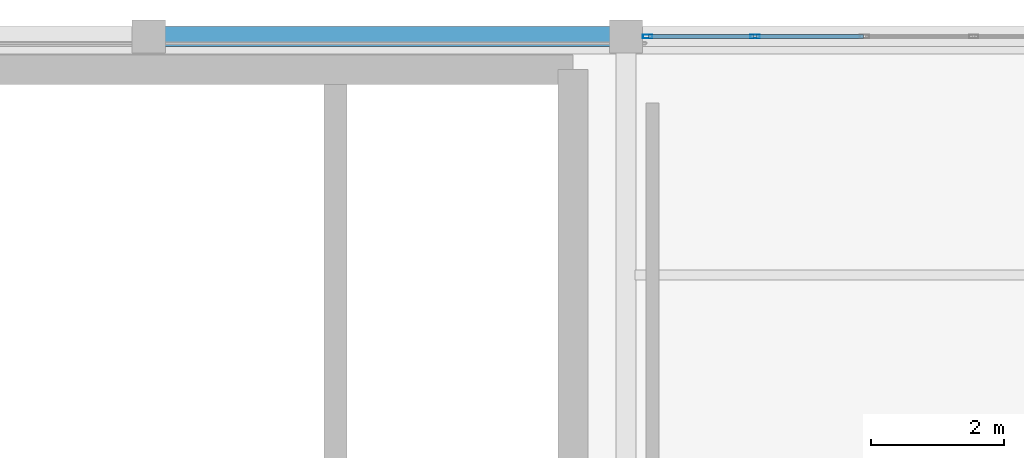
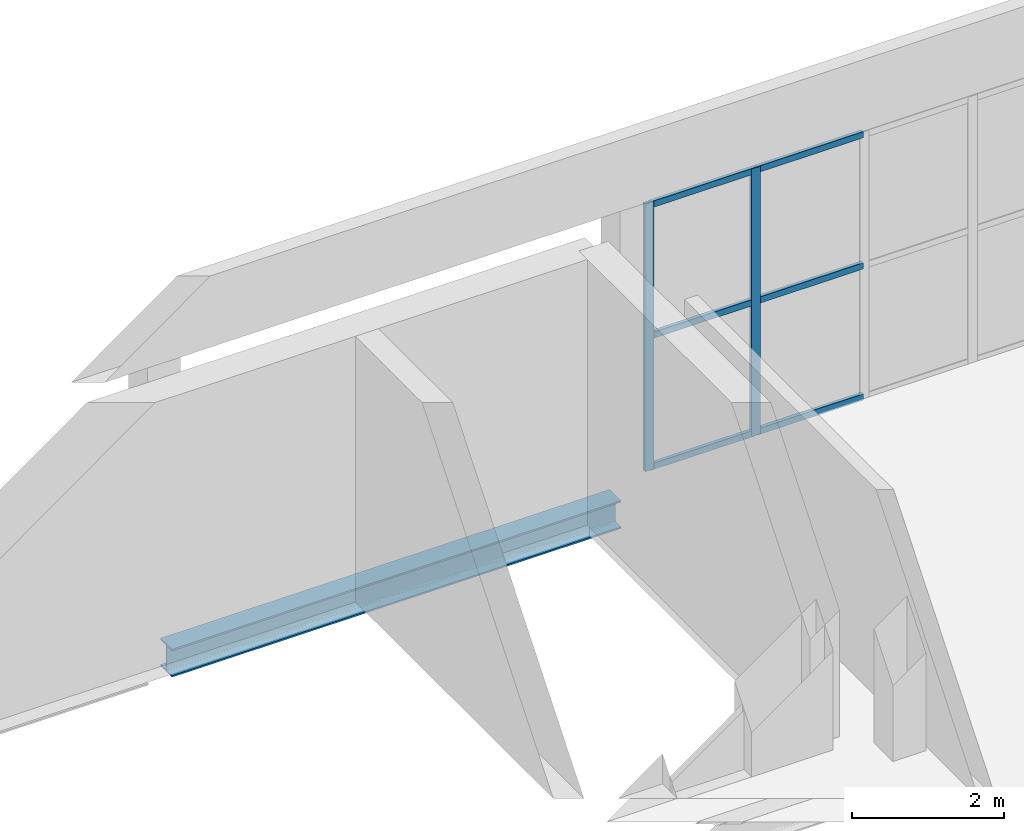
# One storey, part 37 of 64: 8 members, 1 beam, 1 element without a shape of its own.
"""IFC4 building model written with IfcOpenShell, lengths in metres."""

from ifc_helpers import new_model, si_unit, direction, frame, origin, origin_2d, place, context, subcontext, project, spatial, hollow_rectangle, i_section, extrude, material, material_profile, profile_set, type_object, element, aggregate, save


model = new_model("IFC4")

# Units and contexts
model_context = context("Model", 3, precision=1e-05, world=origin(), true_north=direction((0.0, 1.0)))
body_context = subcontext(model_context, "Body", "Model", "MODEL_VIEW")
ifc_project = project(units=[si_unit("LENGTHUNIT", "METRE"), si_unit("AREAUNIT", "SQUARE_METRE"), si_unit("VOLUMEUNIT", "CUBIC_METRE"), si_unit("PLANEANGLEUNIT", "RADIAN"), si_unit("MASSUNIT", "GRAM", prefix="KILO")], contexts=[model_context])

# Site, building, storey
site_placement = place(None, origin())
site = spatial("IfcSite", under=ifc_project, at=site_placement, CompositionType="ELEMENT")
building_placement = place(site_placement, origin())
building = spatial("IfcBuilding", under=site, at=building_placement, Name="Qandorah Velis Arena", CompositionType="ELEMENT")
storey_placement = place(building_placement, frame((0.0, 0.0, 23.0)))
storey = spatial("IfcBuildingStorey", under=building, at=storey_placement, Name="L05", CompositionType="ELEMENT", Elevation=23.0)

# Curtain wall, members
ifc_material_1 = material(Name="Solar-control low-E double glazing", Category="glass")
curtain_wall_type = type_object("IfcCurtainWallType", Name="ARC-CW-SYS08", PredefinedType="USERDEFINED", material=ifc_material_1)
curtain_wall_placement = place(storey_placement, origin())
curtain_wall = element("IfcCurtainWall", 1, at=curtain_wall_placement, inside=storey, type_object=curtain_wall_type, Name="Unitised curtain wall L05-104", ObjectType="UNITISED CURTAIN WALL", PredefinedType="USERDEFINED")
ifc_material_2 = material(Name="Champagne-bronze anodized aluminium 6063-T6", Category="aluminium")
ifc_material_profile_1 = material_profile(ifc_material_2, hollow_rectangle(XDim=0.054931640625, YDim=0.139892578125, WallThickness=0.0029296875, at=origin_2d()), Name="ALU MULLION 55x140")
ifc_profile_set_1 = profile_set([ifc_material_profile_1], Name="Champagne-bronze anodized aluminium 6063-T6")
member_type_1 = type_object("IfcMemberType", Name="ARC-CWM-140", PredefinedType="MULLION", material=ifc_profile_set_1)
member_1_placement = place(storey_placement, frame((86.7275390625, 129.60009765625, -0.014892578125), z_axis=(0.0, 0.0, 1.0), x_axis=(0.0, 1.0, 0.0)))
member_1 = element("IfcMember", 2, at=member_1_placement, type_object=member_type_1, Name="CW08 mullion 1", PredefinedType="MULLION", context=body_context, shape_type="SweptSolid", body=[
    extrude(hollow_rectangle(XDim=0.054931640625, YDim=0.139892578125, WallThickness=0.0029296875, at=origin_2d()), origin(), (0.0, 0.0, 1.0), 4.309814453125),
])
member_2_placement = place(storey_placement, frame((88.35009765625, 129.60009765625, -0.014892578125), z_axis=(0.0, 0.0, 1.0), x_axis=(0.0, 1.0, 0.0)))
member_2 = element("IfcMember", 3, at=member_2_placement, type_object=member_type_1, Name="CW08 mullion 2", PredefinedType="MULLION", context=body_context, shape_type="SweptSolid", body=[
    extrude(hollow_rectangle(XDim=0.054931640625, YDim=0.139892578125, WallThickness=0.0029296875, at=origin_2d()), origin(), (0.0, 0.0, 1.0), 4.309814453125),
])
ifc_material_profile_2 = material_profile(ifc_material_2, hollow_rectangle(XDim=0.054931640625, YDim=0.10009765625, WallThickness=0.0029296875, at=origin_2d()), Name="ALU TRANSOM 55x100")
ifc_profile_set_2 = profile_set([ifc_material_profile_2], Name="Champagne-bronze anodized aluminium 6063-T6")
member_type_2 = type_object("IfcMemberType", Name="ARC-CWT-100", PredefinedType="USERDEFINED", material=ifc_profile_set_2)
member_3_placement = place(storey_placement, frame((86.742919921875, 129.60009765625, 0.027587890625), z_axis=(1.0, 0.0, 0.0), x_axis=(0.0, 1.0, 0.0)))
member_3 = element("IfcMember", 4, at=member_3_placement, type_object=member_type_2, Name="CW08 transom 1.1", ObjectType="TRANSOM", PredefinedType="USERDEFINED", context=body_context, shape_type="SweptSolid", body=[
    extrude(hollow_rectangle(XDim=0.054931640625, YDim=0.10009765625, WallThickness=0.0029296875, at=origin_2d()), origin(), (0.0, 0.0, 1.0), 1.591552734375),
])
member_4_placement = place(storey_placement, frame((86.742919921875, 129.60009765625, 2.139892578125), z_axis=(1.0, 0.0, 0.0), x_axis=(0.0, 1.0, 0.0)))
member_4 = element("IfcMember", 5, at=member_4_placement, type_object=member_type_2, Name="CW08 transom 1.2", ObjectType="TRANSOM", PredefinedType="USERDEFINED", context=body_context, shape_type="SweptSolid", body=[
    extrude(hollow_rectangle(XDim=0.054931640625, YDim=0.10009765625, WallThickness=0.0029296875, at=origin_2d()), origin(), (0.0, 0.0, 1.0), 1.591552734375),
])
member_5_placement = place(storey_placement, frame((86.742919921875, 129.60009765625, 4.25244140625), z_axis=(1.0, 0.0, 0.0), x_axis=(0.0, 1.0, 0.0)))
member_5 = element("IfcMember", 6, at=member_5_placement, type_object=member_type_2, Name="CW08 transom 1.3", ObjectType="TRANSOM", PredefinedType="USERDEFINED", context=body_context, shape_type="SweptSolid", body=[
    extrude(hollow_rectangle(XDim=0.054931640625, YDim=0.10009765625, WallThickness=0.0029296875, at=origin_2d()), origin(), (0.0, 0.0, 1.0), 1.591552734375),
])
member_6_placement = place(storey_placement, frame((88.365478515625, 129.60009765625, 0.027587890625), z_axis=(1.0, 0.0, 0.0), x_axis=(0.0, 1.0, 0.0)))
member_6 = element("IfcMember", 7, at=member_6_placement, type_object=member_type_2, Name="CW08 transom 2.1", ObjectType="TRANSOM", PredefinedType="USERDEFINED", context=body_context, shape_type="SweptSolid", body=[
    extrude(hollow_rectangle(XDim=0.054931640625, YDim=0.10009765625, WallThickness=0.0029296875, at=origin_2d()), origin(), (0.0, 0.0, 1.0), 1.619140625),
])
member_7_placement = place(storey_placement, frame((88.365478515625, 129.60009765625, 2.139892578125), z_axis=(1.0, 0.0, 0.0), x_axis=(0.0, 1.0, 0.0)))
member_7 = element("IfcMember", 8, at=member_7_placement, type_object=member_type_2, Name="CW08 transom 2.2", ObjectType="TRANSOM", PredefinedType="USERDEFINED", context=body_context, shape_type="SweptSolid", body=[
    extrude(hollow_rectangle(XDim=0.054931640625, YDim=0.10009765625, WallThickness=0.0029296875, at=origin_2d()), origin(), (0.0, 0.0, 1.0), 1.619140625),
])
member_8_placement = place(storey_placement, frame((88.365478515625, 129.60009765625, 4.25244140625), z_axis=(1.0, 0.0, 0.0), x_axis=(0.0, 1.0, 0.0)))
member_8 = element("IfcMember", 9, at=member_8_placement, type_object=member_type_2, Name="CW08 transom 2.3", ObjectType="TRANSOM", PredefinedType="USERDEFINED", context=body_context, shape_type="SweptSolid", body=[
    extrude(hollow_rectangle(XDim=0.054931640625, YDim=0.10009765625, WallThickness=0.0029296875, at=origin_2d()), origin(), (0.0, 0.0, 1.0), 1.619140625),
])
aggregate(curtain_wall, [member_1, member_2, member_3, member_4, member_5, member_6, member_7, member_8])

# Beam
ifc_material_3 = material(Name="Steel S355", Category="steel")
ifc_material_profile_3 = material_profile(ifc_material_3, i_section(OverallWidth=0.300048828125, OverallDepth=0.449951171875, WebThickness=0.013916015625, FlangeThickness=0.02587890625, FilletRadius=0.027099609375, at=origin_2d()), Name="HEB 450")
ifc_profile_set_3 = profile_set([ifc_material_profile_3], Name="Steel S355")
beam_type = type_object("IfcBeamType", Name="STR-BM-HEB450", PredefinedType="BEAM", material=ifc_profile_set_3)
beam_placement = place(storey_placement, frame((79.37841796875, 129.60009765625, -0.47509765625), z_axis=(1.0, 0.0, 0.0), x_axis=(0.0, 1.0, 0.0)))
element("IfcBeam", 10, at=beam_placement, inside=storey, type_object=beam_type, Name="Primary floor girder L05 X-112", PredefinedType="BEAM", context=body_context, shape_type="SweptSolid", body=[
    extrude(i_section(OverallWidth=0.300048828125, OverallDepth=0.449951171875, WebThickness=0.013916015625, FlangeThickness=0.02587890625, FilletRadius=0.027099609375, at=origin_2d()), origin(), (0.0, 0.0, 1.0), 6.843017578125),
])

save(model, "model.ifc")
